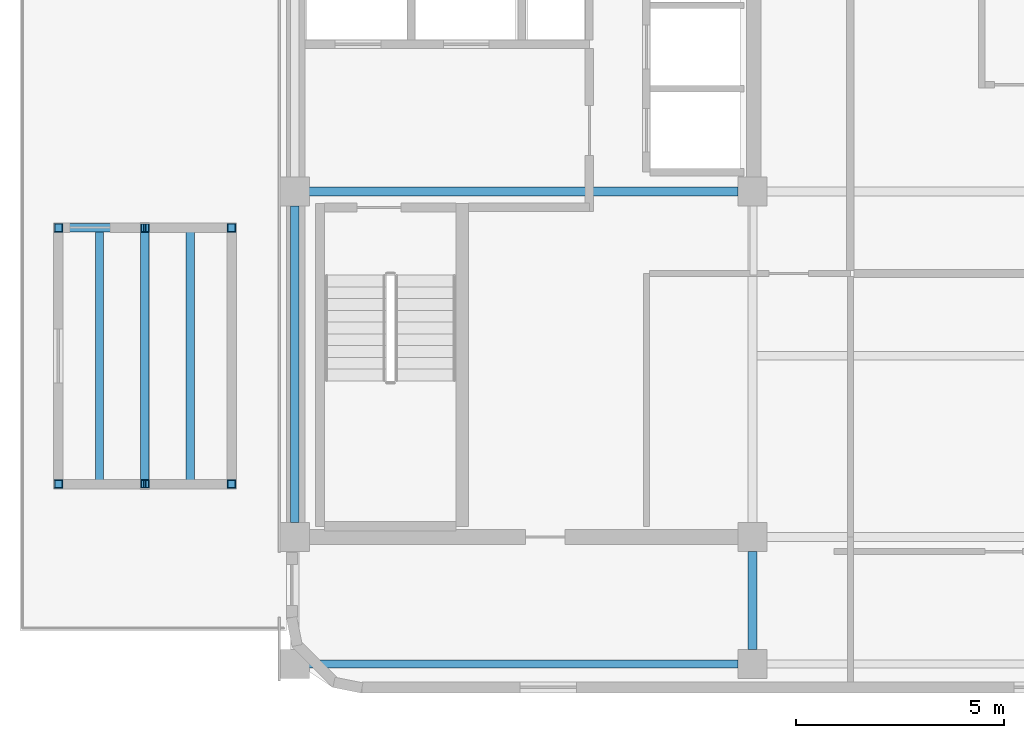
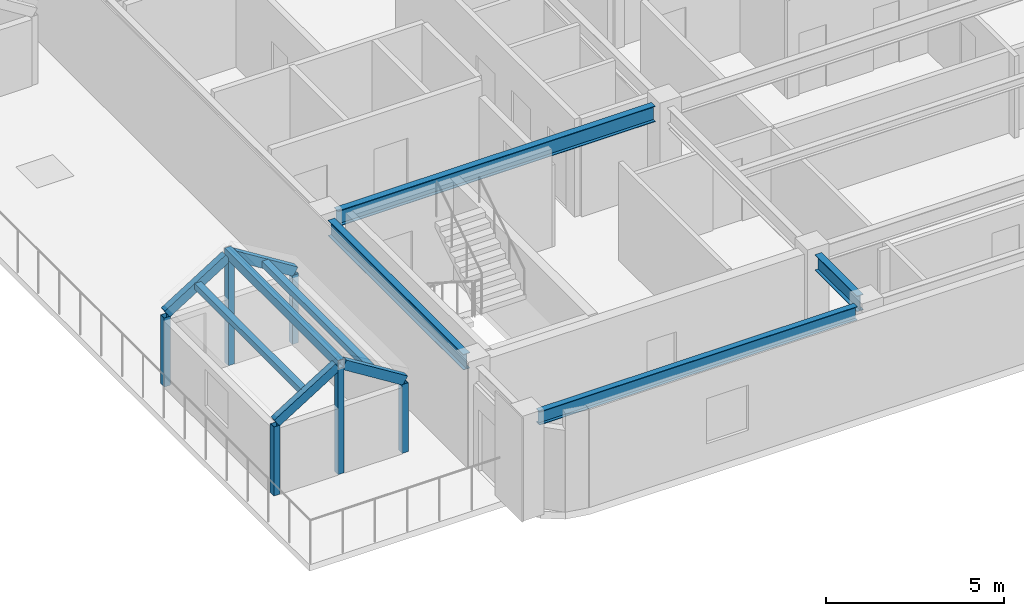
# One storey, part 2 of 13: 13 members, 4 beams.
"""IFC4 building model written with IfcOpenShell, lengths in metres."""

import ifcopenshell
import ifcopenshell.guid

model = None  # the IFC model being written
_history = None  # IfcOwnerHistory: only IFC2X3 demands one
_inside = {}  # id of a spatial element -> (the spatial element, [elements in it])
_under = {}  # id of a project, library or spatial element -> (it, [spatial elements below it])
_declared = {}  # id of a project -> (the project, [libraries it declares])
_typed = {}  # id of a type object -> (the type object, [elements of that type])
_made_of = {}  # id of a material, layer set ... -> (it, [elements and type objects made of it])


def new_model(schema):
    """Start an empty IFC model of exactly this schema.

    Asked for "IFC4X3", IfcOpenShell would pick the latest addendum, in which some entities
    have other attributes; the version numbers below select the first issue.
    IFC2X3 requires an IfcOwnerHistory on every rooted entity: one is made here for all.
    """
    global model, _history
    if schema == "IFC4X3":
        model = ifcopenshell.file(schema_version=(4, 3, 0, 0))
    else:
        model = ifcopenshell.file(schema=schema)
    _inside.clear()
    _under.clear()
    _declared.clear()
    _typed.clear()
    _made_of.clear()
    _history = None
    if model.schema == "IFC2X3":
        org = make("IfcOrganization", Name="unknown")
        user = make(
            "IfcPersonAndOrganization",
            ThePerson=make("IfcPerson", FamilyName="unknown"),
            TheOrganization=org,
        )
        app = make(
            "IfcApplication",
            ApplicationDeveloper=org,
            Version="unknown",
            ApplicationFullName="unknown",
            ApplicationIdentifier="unknown",
        )
        _history = make(
            "IfcOwnerHistory",
            OwningUser=user,
            OwningApplication=app,
            ChangeAction="ADDED",
            CreationDate=0,
        )
    return model


def make(cls, **values):
    """One entity of the class cls with the attributes given. An attribute that is None is left unset."""
    return model.create_entity(
        cls, **{name: value for name, value in values.items() if value is not None}
    )


def rooted(cls, **values):
    """An entity with a GlobalId (a new one), such as an element, a storey or a relation."""
    return make(cls, GlobalId=ifcopenshell.guid.new(), OwnerHistory=_history, **values)


def si_unit(unit_type, name, prefix=None):
    """IfcSIUnit, for example si_unit("LENGTHUNIT", "METRE", prefix="MILLI")."""
    return make("IfcSIUnit", UnitType=unit_type, Prefix=prefix, Name=name)


def assignment(units):
    """IfcUnitAssignment: the units of a project."""
    return None if units is None else make("IfcUnitAssignment", Units=units)


def point(xyz):
    """IfcCartesianPoint."""
    return None if xyz is None else make("IfcCartesianPoint", Coordinates=xyz)


def direction(xyz):
    """IfcDirection."""
    return None if xyz is None else make("IfcDirection", DirectionRatios=xyz)


def frame(location, z_axis=None, x_axis=None):
    """IfcAxis2Placement3D, a coordinate frame: its origin and axes. An axis left out is left unset."""
    return make(
        "IfcAxis2Placement3D",
        Location=point(location),
        Axis=direction(z_axis),
        RefDirection=direction(x_axis),
    )


def frame_2d(location, x_axis=None):
    """IfcAxis2Placement2D, a coordinate frame in the plane: its origin and x axis."""
    return make(
        "IfcAxis2Placement2D", Location=point(location), RefDirection=direction(x_axis)
    )


def origin():
    """The frame at (0, 0, 0) with its axes left unset."""
    return frame((0.0, 0.0, 0.0))


def origin_2d():
    """The frame at (0, 0) in the plane with its x axis left unset."""
    return frame_2d((0.0, 0.0))


def place(relative_to, where):
    """IfcLocalPlacement: puts the frame where relative to a parent placement (None: the world)."""
    return make(
        "IfcLocalPlacement", PlacementRelTo=relative_to, RelativePlacement=where
    )


def context(
    kind, dimensions, precision=None, world=None, true_north=None, identifier=None
):
    """IfcGeometricRepresentationContext, for example the 3D "Model" context."""
    return make(
        "IfcGeometricRepresentationContext",
        ContextIdentifier=identifier,
        ContextType=kind,
        CoordinateSpaceDimension=dimensions,
        Precision=precision,
        WorldCoordinateSystem=world,
        TrueNorth=true_north,
    )


def subcontext(parent, identifier, kind, view, scale=None):
    """IfcGeometricRepresentationSubContext, for example "Body" below "Model"."""
    return make(
        "IfcGeometricRepresentationSubContext",
        ContextIdentifier=identifier,
        ContextType=kind,
        ParentContext=parent,
        TargetScale=scale,
        TargetView=view,
    )


def project(units=None, contexts=None):
    """IfcProject with its units and contexts."""
    return rooted(
        "IfcProject",
        Name="project",
        RepresentationContexts=contexts,
        UnitsInContext=assignment(units),
    )


def spatial(cls, under=None, at=None, **own):
    """A site, building, storey or space (cls), placed at a placement, below another one or the project."""
    s = rooted(cls, ObjectPlacement=at, **own)
    if under is not None:
        _under.setdefault(under.id(), (under, []))[1].append(s)
    return s


def profile(cls, at=None, kind="AREA", **sizes):
    """A parametric profile (cls). Its sizes go by their IFC names, for example OverallWidth=200.0."""
    return make(cls, ProfileType=kind, Position=at, **sizes)


def hollow_rectangle(**sizes):
    """IfcRectangleHollowProfileDef."""
    return profile("IfcRectangleHollowProfileDef", **sizes)


def i_section(**sizes):
    """IfcIShapeProfileDef."""
    return profile("IfcIShapeProfileDef", **sizes)


def extrude(swept, where, along, depth):
    """IfcExtrudedAreaSolid: the profile swept, set in the frame where, extruded along a direction by depth."""
    return make(
        "IfcExtrudedAreaSolid",
        SweptArea=swept,
        Position=where,
        ExtrudedDirection=direction(along),
        Depth=depth,
    )


def shape(context_of_items, identifier, shape_type, items):
    """IfcShapeRepresentation: the items that make up one representation, for example the "Body"."""
    return make(
        "IfcShapeRepresentation",
        ContextOfItems=context_of_items,
        RepresentationIdentifier=identifier,
        RepresentationType=shape_type,
        Items=items,
    )


def material(Name=None, Category=None):
    """IfcMaterial."""
    return make("IfcMaterial", Name=Name, Category=Category)


def material_profile(
    of_material, cross_section, Name=None, Category=None, Priority=None
):
    """IfcMaterialProfile: a cross section and its material."""
    return make(
        "IfcMaterialProfile",
        Name=Name,
        Material=of_material,
        Profile=cross_section,
        Priority=Priority,
        Category=Category,
    )


def profile_set(profiles, Name=None, composite=None):
    """IfcMaterialProfileSet."""
    return make(
        "IfcMaterialProfileSet",
        Name=Name,
        MaterialProfiles=profiles,
        CompositeProfile=composite,
    )


def made_of(thing, what):
    """Note that an element or type object is made of a material, layer set ...; save() writes the relation."""
    if what is not None:
        _made_of.setdefault(what.id(), (what, []))[1].append(thing)
    return thing


def type_object(cls, material=None, **own):
    """A type object (cls), such as IfcWallType, which elements share."""
    return made_of(rooted(cls, **own), material)


def element(
    cls,
    number,
    at=None,
    inside=None,
    cuts=None,
    type_object=None,
    material=None,
    context=None,
    identifier="Body",
    shape_type=None,
    held_by="IfcProductDefinitionShape",
    body=None,
    shapes=None,
    **own,
):
    """One element of the class cls, such as IfcWall. Its Tag is "e" and its number.

    at: its placement. inside: the storey or other place that contains it. cuts: it is an
    opening in that element (IfcRelVoidsElement). A single representation is given by context,
    identifier, shape_type and body (its items); several are given by shapes. held_by: the class
    of the entity that holds the representations. save() writes the other relations.
    """
    e = rooted(cls, Tag="e%d" % number, ObjectPlacement=at, **own)
    if body is not None:
        shapes = [shape(context, identifier, shape_type, body)]
    if shapes is not None:
        e.Representation = make(held_by, Representations=shapes)
    if inside is not None:
        _inside.setdefault(inside.id(), (inside, []))[1].append(e)
    if cuts is not None:
        rooted(
            "IfcRelVoidsElement", RelatingBuildingElement=cuts, RelatedOpeningElement=e
        )
    if type_object is not None:
        _typed.setdefault(type_object.id(), (type_object, []))[1].append(e)
    return made_of(e, material)


def aggregate(whole, parts):
    """IfcRelAggregates: a whole, such as a stair, and the parts it consists of."""
    return rooted("IfcRelAggregates", RelatingObject=whole, RelatedObjects=parts)


def save(model, path):
    """Write the relations noted so far, then the file.

    IfcRelAggregates (storeys below a building ...), IfcRelContainedInSpatialStructure (elements
    in a storey), IfcRelDefinesByType, IfcRelAssociatesMaterial and IfcRelDeclares: one each for
    every whole, place, type object, material and project.
    """
    for whole, parts in _under.values():
        aggregate(whole, parts)
    for where, things in _inside.values():
        rooted(
            "IfcRelContainedInSpatialStructure",
            RelatedElements=things,
            RelatingStructure=where,
        )
    for kind, things in _typed.values():
        rooted("IfcRelDefinesByType", RelatedObjects=things, RelatingType=kind)
    for what, things in _made_of.values():
        rooted("IfcRelAssociatesMaterial", RelatedObjects=things, RelatingMaterial=what)
    for by, libraries in _declared.values():
        rooted("IfcRelDeclares", RelatingContext=by, RelatedDefinitions=libraries)
    model.write(path)


model = new_model("IFC4")

# Units and contexts
model_context = context("Model", 3, precision=1e-05, world=origin(), true_north=direction((0.0, 1.0)))
body_context = subcontext(model_context, "Body", "Model", "MODEL_VIEW")
ifc_project = project(units=[si_unit("LENGTHUNIT", "METRE"), si_unit("AREAUNIT", "SQUARE_METRE"), si_unit("VOLUMEUNIT", "CUBIC_METRE"), si_unit("PLANEANGLEUNIT", "RADIAN"), si_unit("MASSUNIT", "GRAM", prefix="KILO")], contexts=[model_context])

# Site, building, storey
site_placement = place(None, origin())
site = spatial("IfcSite", under=ifc_project, at=site_placement, CompositionType="ELEMENT")
building_placement = place(site_placement, origin())
building = spatial("IfcBuilding", under=site, at=building_placement, Name="Ochreholt Gables", CompositionType="ELEMENT")
storey_placement = place(building_placement, frame((0.0, 0.0, 205.800048828125)))
storey = spatial("IfcBuildingStorey", under=building, at=storey_placement, Name="L53", CompositionType="ELEMENT", Elevation=205.800048828125)

# Beams
ifc_material = material(Name="Steel CSA G40.21 350W", Category="steel")
ifc_material_profile_1 = material_profile(ifc_material, i_section(OverallWidth=0.2109375, OverallDepth=0.5390625, WebThickness=0.01171875, FlangeThickness=0.018798828125, at=origin_2d()), Name="W530X109")
ifc_profile_set_1 = profile_set([ifc_material_profile_1], Name="Steel CSA G40.21 350W")
beam_type_1 = type_object("IfcBeamType", Name="BM-G-W530A", PredefinedType="BEAM", material=ifc_profile_set_1)
beam_1_placement = place(storey_placement, frame((24.549560546875, 17.550048828125, 3.09033203125), z_axis=(1.0, 0.0, 0.0), x_axis=(0.0, 1.0, 0.0)))
element("IfcBeam", 1, at=beam_1_placement, inside=storey, type_object=beam_type_1, Name="L53 Beam TBG-L53-C1C2-Y3", PredefinedType="BEAM", context=body_context, shape_type="SweptSolid", body=[
    extrude(i_section(OverallWidth=0.2109375, OverallDepth=0.5390625, WebThickness=0.01171875, FlangeThickness=0.018798828125, at=origin_2d()), origin(), (0.0, 0.0, 1.0), 10.30078125),
])
beam_2_placement = place(storey_placement, frame((24.199951171875, 9.599609375, 3.09033203125), z_axis=(0.0, 1.0, 0.0), x_axis=(-1.0, 0.0, 0.0)))
element("IfcBeam", 2, at=beam_2_placement, inside=storey, type_object=beam_type_1, Name="L53 Beam TBN-L53-C1-Y2Y3", PredefinedType="BEAM", context=body_context, shape_type="SweptSolid", body=[
    extrude(i_section(OverallWidth=0.2109375, OverallDepth=0.5390625, WebThickness=0.01171875, FlangeThickness=0.018798828125, at=origin_2d()), origin(), (0.0, 0.0, 1.0), 7.600830078125),
])
beam_3_placement = place(storey_placement, frame((35.199951171875, 6.549560546875, 3.09033203125), z_axis=(0.0, 1.0, 0.0), x_axis=(-1.0, 0.0, 0.0)))
element("IfcBeam", 3, at=beam_3_placement, inside=storey, type_object=beam_type_1, Name="L53 Beam TBN-L53-C2-Y1Y2", PredefinedType="BEAM", context=body_context, shape_type="SweptSolid", body=[
    extrude(i_section(OverallWidth=0.2109375, OverallDepth=0.5390625, WebThickness=0.01171875, FlangeThickness=0.018798828125, at=origin_2d()), origin(), (0.0, 0.0, 1.0), 2.350830078125),
])
ifc_material_profile_2 = material_profile(ifc_material, i_section(OverallWidth=0.19189453125, OverallDepth=0.462890625, WebThickness=0.010498046875, FlangeThickness=0.017578125, at=origin_2d()), Name="W460X89")
ifc_profile_set_2 = profile_set([ifc_material_profile_2], Name="Steel CSA G40.21 350W")
beam_type_2 = type_object("IfcBeamType", Name="BM-SP-W460A", PredefinedType="SPANDREL", material=ifc_profile_set_2)
beam_4_placement = place(storey_placement, frame((24.549560546875, 6.199951171875, 3.12841796875), z_axis=(1.0, 0.0, 0.0), x_axis=(0.0, 1.0, 0.0)))
element("IfcBeam", 4, at=beam_4_placement, inside=storey, type_object=beam_type_2, Name="L53 Beam TBG-L53-C1C2-Y1", PredefinedType="SPANDREL", context=body_context, shape_type="SweptSolid", body=[
    extrude(i_section(OverallWidth=0.19189453125, OverallDepth=0.462890625, WebThickness=0.010498046875, FlangeThickness=0.017578125, at=origin_2d()), origin(), (0.0, 0.0, 1.0), 10.30078125),
])

# Members
ifc_material_profile_3 = material_profile(ifc_material, hollow_rectangle(XDim=0.202880859375, YDim=0.202880859375, WallThickness=0.009521484375, at=origin_2d()), Name="HSS203X203X10")
ifc_profile_set_3 = profile_set([ifc_material_profile_3], Name="Steel CSA G40.21 350W")
member_type_1 = type_object("IfcMemberType", Name="MEM-GB-PR1", PredefinedType="PURLIN", material=ifc_profile_set_3)
for number, where, z_axis, x_axis, name in (
    (5, (19.509521484375, 10.596923828125, 3.1044921875), (0.0, 1.0, 0.0), (-1.0, 0.0, 0.0), "L53 Gable West Purlin GB-53W1"),
    (6, (21.690673828125, 10.596923828125, 3.1044921875), (0.0, 1.0, 0.0), (-1.0, 0.0, 0.0), "L53 Gable East Purlin GB-53W1"),
):
    element("IfcMember", number, at=place(storey_placement, frame(where, z_axis=z_axis, x_axis=x_axis)), inside=storey, type_object=member_type_1, Name=name, PredefinedType="PURLIN", context=body_context, shape_type="SweptSolid", body=[
        extrude(hollow_rectangle(XDim=0.202880859375, YDim=0.202880859375, WallThickness=0.009521484375, at=origin_2d()), origin(), (0.0, 0.0, 1.0), 6.006103515625),
    ])
ifc_material_profile_4 = material_profile(ifc_material, hollow_rectangle(XDim=0.202880859375, YDim=0.202880859375, WallThickness=0.009521484375, at=origin_2d()), Name="HSS203X203X10")
ifc_profile_set_4 = profile_set([ifc_material_profile_4], Name="Steel CSA G40.21 350W")
member_type_2 = type_object("IfcMemberType", Name="MEM-GB-PT2", PredefinedType="POST", material=ifc_profile_set_4)
for number, where, z_axis, x_axis, name in (
    (7, (18.52001953125, 10.52001953125, 0.0), (0.0, 0.0, 1.0), (1.0, 0.0, 0.0), "L53 Gable Pavilion Post GB-53W1-P1"),
    (8, (22.679931640625, 10.52001953125, 0.0), (0.0, 0.0, 1.0), (1.0, 0.0, 0.0), "L53 Gable Pavilion Post GB-53W1-P2"),
    (9, (22.679931640625, 16.679931640625, 0.0), (0.0, 0.0, 1.0), (1.0, 0.0, 0.0), "L53 Gable Pavilion Post GB-53W1-P3"),
    (10, (18.52001953125, 16.679931640625, 0.0), (0.0, 0.0, 1.0), (1.0, 0.0, 0.0), "L53 Gable Pavilion Post GB-53W1-P4"),
):
    element("IfcMember", number, at=place(storey_placement, frame(where, z_axis=z_axis, x_axis=x_axis)), inside=storey, type_object=member_type_2, Name=name, PredefinedType="POST", context=body_context, shape_type="SweptSolid", body=[
        extrude(hollow_rectangle(XDim=0.202880859375, YDim=0.202880859375, WallThickness=0.009521484375, at=origin_2d()), origin(), (0.0, 0.0, 1.0), 2.36083984375),
    ])
for number, where, z_axis, x_axis, name in (
    (11, (20.60009765625, 10.52001953125, 0.0), (0.0, 0.0, 1.0), (1.0, 0.0, 0.0), "L53 Gable Ridge Post GB-53W1-PRG1"),
    (12, (20.60009765625, 16.679931640625, 0.0), (0.0, 0.0, 1.0), (1.0, 0.0, 0.0), "L53 Gable Ridge Post GB-53W1-PRG2"),
):
    element("IfcMember", number, at=place(storey_placement, frame(where, z_axis=z_axis, x_axis=x_axis)), inside=storey, type_object=member_type_2, Name=name, PredefinedType="POST", context=body_context, shape_type="SweptSolid", body=[
        extrude(hollow_rectangle(XDim=0.202880859375, YDim=0.202880859375, WallThickness=0.009521484375, at=origin_2d()), origin(), (0.0, 0.0, 1.0), 3.629638671875),
    ])
ifc_material_profile_5 = material_profile(ifc_material, hollow_rectangle(XDim=0.202880859375, YDim=0.304931640625, WallThickness=0.0126953125, at=origin_2d()), Name="HSS305X203X13")
ifc_profile_set_5 = profile_set([ifc_material_profile_5], Name="Steel CSA G40.21 350W")
member_type_3 = type_object("IfcMemberType", Name="MEM-GB-RF1", PredefinedType="RAFTER", material=ifc_profile_set_5)
for number, where, z_axis, x_axis, name in (
    (13, (18.52001953125, 10.52001953125, 2.46435546875), (0.847980670212, 0.0, 0.530027153028), (0.0, 1.0, 0.0), "L53 Gable West Rafter 1 GB-53W1"),
    (14, (22.679931640625, 10.52001953125, 2.46435546875), (-0.847980670212, 0.0, 0.530027153028), (0.0, -1.0, 0.0), "L53 Gable East Rafter 1 GB-53W1"),
    (15, (18.52001953125, 16.679931640625, 2.46435546875), (0.847980670212, 0.0, 0.530027153028), (0.0, 1.0, 0.0), "L53 Gable West Rafter 2 GB-53W1"),
    (16, (22.679931640625, 16.679931640625, 2.46435546875), (-0.847980670212, 0.0, 0.530027153028), (0.0, -1.0, 0.0), "L53 Gable East Rafter 2 GB-53W1"),
):
    element("IfcMember", number, at=place(storey_placement, frame(where, z_axis=z_axis, x_axis=x_axis)), inside=storey, type_object=member_type_3, Name=name, PredefinedType="RAFTER", context=body_context, shape_type="SweptSolid", body=[
        extrude(hollow_rectangle(XDim=0.202880859375, YDim=0.304931640625, WallThickness=0.0126953125, at=origin_2d()), origin(), (0.0, 0.0, 1.0), 2.33349609375),
    ])
ifc_material_profile_6 = material_profile(ifc_material, hollow_rectangle(XDim=0.202880859375, YDim=0.304931640625, WallThickness=0.0126953125, at=origin_2d()), Name="HSS305X203X13")
ifc_profile_set_6 = profile_set([ifc_material_profile_6], Name="Steel CSA G40.21 350W")
member_type_4 = type_object("IfcMemberType", Name="MEM-GB-RF1E", PredefinedType="RAFTER", material=ifc_profile_set_6)
member_placement = place(storey_placement, frame((20.60009765625, 10.419921875, 3.76416015625), z_axis=(0.0, 1.0, 0.0), x_axis=(-1.0, 0.0, 0.0)))
element("IfcMember", 17, at=member_placement, inside=storey, type_object=member_type_4, Name="L53 Gable Ridge Member GB-53W1", PredefinedType="RAFTER", context=body_context, shape_type="SweptSolid", body=[
    extrude(hollow_rectangle(XDim=0.202880859375, YDim=0.304931640625, WallThickness=0.0126953125, at=origin_2d()), origin(), (0.0, 0.0, 1.0), 6.360107421875),
])

save(model, "model.ifc")
